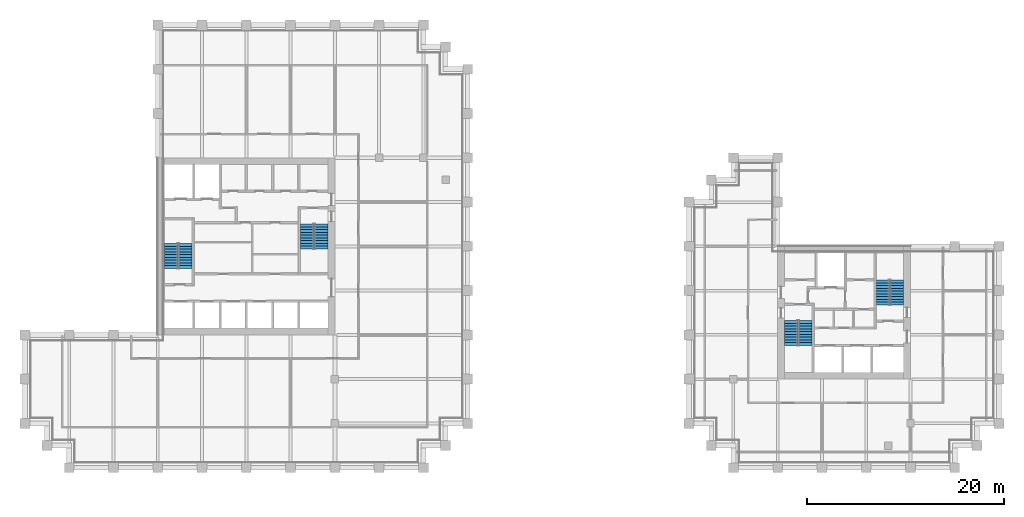
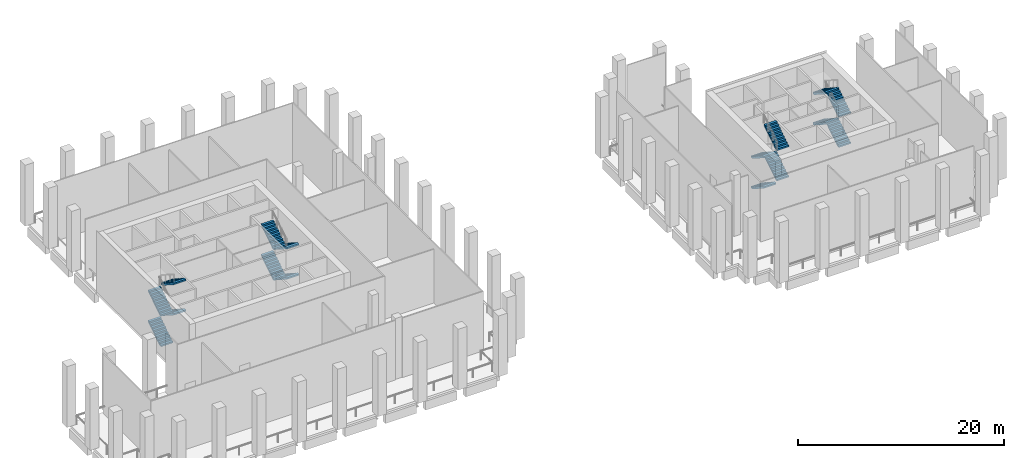
# One storey, part 7 of 9: 16 stair flights, 4 elements without a shape of their own.
"""IFC4 building model written with IfcOpenShell, lengths in metres."""

from ifc_helpers import new_model, si_unit, direction, frame, origin, place, context, subcontext, project, spatial, polyline, outline, extrude, material, type_object, element, aggregate, save


model = new_model("IFC4")

# Units and contexts
model_context = context("Model", 3, precision=1e-05, world=origin(), true_north=direction((0.0, 1.0)))
body_context = subcontext(model_context, "Body", "Model", "MODEL_VIEW")
ifc_project = project(units=[si_unit("LENGTHUNIT", "METRE"), si_unit("AREAUNIT", "SQUARE_METRE"), si_unit("VOLUMEUNIT", "CUBIC_METRE"), si_unit("PLANEANGLEUNIT", "RADIAN"), si_unit("MASSUNIT", "GRAM", prefix="KILO")], contexts=[model_context])

# Site, building, storey
site_placement = place(None, origin())
site = spatial("IfcSite", under=ifc_project, at=site_placement, CompositionType="ELEMENT")
building_placement = place(site_placement, origin())
building = spatial("IfcBuilding", under=site, at=building_placement, Name="Altepetl Exchange Towers", CompositionType="ELEMENT")
storey_placement = place(building_placement, frame((0.0, 0.0, 113.60009765625)))
storey = spatial("IfcBuildingStorey", under=building, at=storey_placement, Name="L28 Wind floor plant", CompositionType="ELEMENT", Elevation=113.60009765625)

# Stair, stair flights
ifc_material = material(Name="Concrete C40/50", Category="concrete")
stair_type = type_object("IfcStairType", Name="Exit stair 1350 flights dogleg", PredefinedType="HALF_TURN_STAIR", material=ifc_material)
stair_1_placement = place(storey_placement, origin())
stair_1 = element("IfcStair", 1, at=stair_1_placement, inside=storey, type_object=stair_type, Name="Exit stair 1", PredefinedType="HALF_TURN_STAIR")
stair_flight_type = type_object("IfcStairFlightType", Name="Stair flight 1350 wide", PredefinedType="STRAIGHT", material=ifc_material)
stair_flight_1_placement = place(storey_placement, frame((41.875, 47.25, 0.0), z_axis=(0.0, 0.0, 1.0), x_axis=(0.0, 1.0, 0.0)))
stair_flight_1 = element("IfcStairFlight", 2, at=stair_flight_1_placement, type_object=stair_flight_type, Name="ST-A1d flight 1", NumberOfRisers=10, NumberOfTreads=9, PredefinedType="STRAIGHT", RiserHeight=0.18, TreadLength=0.28, context=body_context, shape_type="SweptSolid", body=[
    extrude(outline(polyline([(0.0, 0.0), (0.0, 0.179931640625), (0.280029296875, 0.179931640625), (0.280029296875, 0.360107421875), (0.56005859375, 0.360107421875), (0.56005859375, 0.5400390625), (0.840087890625, 0.5400390625), (0.840087890625, 0.719970703125), (1.1201171875, 0.719970703125), (1.1201171875, 0.89990234375), (1.39990234375, 0.89990234375), (1.39990234375, 1.080078125), (1.679931640625, 1.080078125), (1.679931640625, 1.260009765625), (1.9599609375, 1.260009765625), (1.9599609375, 1.43994140625), (2.239990234375, 1.43994140625), (2.239990234375, 1.6201171875), (2.52001953125, 1.6201171875), (2.52001953125, 1.800048828125), (2.52001953125, 1.44189453125), (0.277099609375, 0.0), (0.0, 0.0)])), frame((0.0, 0.675048828125, 0.0), z_axis=(0.0, -1.0, 0.0), x_axis=(1.0, 0.0, 0.0)), (0.0, 0.0, 1.0), 1.35009765625),
])
stair_flight_2_placement = place(storey_placement, frame((43.324951171875, 49.77001953125, 1.7998046875), z_axis=(0.0, 0.0, 1.0), x_axis=(0.0, -1.0, 0.0)))
stair_flight_2 = element("IfcStairFlight", 3, at=stair_flight_2_placement, type_object=stair_flight_type, Name="ST-A1d flight 2", NumberOfRisers=10, NumberOfTreads=9, PredefinedType="STRAIGHT", RiserHeight=0.18, TreadLength=0.28, context=body_context, shape_type="SweptSolid", body=[
    extrude(outline(polyline([(0.0, 0.0), (0.0, 0.179931640625), (0.280029296875, 0.179931640625), (0.280029296875, 0.360107421875), (0.56005859375, 0.360107421875), (0.56005859375, 0.5400390625), (0.840087890625, 0.5400390625), (0.840087890625, 0.719970703125), (1.1201171875, 0.719970703125), (1.1201171875, 0.89990234375), (1.39990234375, 0.89990234375), (1.39990234375, 1.080078125), (1.679931640625, 1.080078125), (1.679931640625, 1.260009765625), (1.9599609375, 1.260009765625), (1.9599609375, 1.43994140625), (2.239990234375, 1.43994140625), (2.239990234375, 1.6201171875), (2.52001953125, 1.6201171875), (2.52001953125, 1.800048828125), (2.52001953125, 1.44189453125), (0.277099609375, 0.0), (0.0, 0.0)])), frame((0.0, 0.675048828125, 0.0), z_axis=(0.0, -1.0, 0.0), x_axis=(1.0, 0.0, 0.0)), (0.0, 0.0, 1.0), 1.35009765625),
])
stair_flight_3_placement = place(storey_placement, frame((41.875, 47.25, 3.599853515625), z_axis=(0.0, 0.0, 1.0), x_axis=(0.0, 1.0, 0.0)))
stair_flight_3 = element("IfcStairFlight", 4, at=stair_flight_3_placement, type_object=stair_flight_type, Name="ST-A1d flight 3", NumberOfRisers=10, NumberOfTreads=9, PredefinedType="STRAIGHT", RiserHeight=0.18, TreadLength=0.28, context=body_context, shape_type="SweptSolid", body=[
    extrude(outline(polyline([(0.0, 0.0), (0.0, 0.179931640625), (0.280029296875, 0.179931640625), (0.280029296875, 0.360107421875), (0.56005859375, 0.360107421875), (0.56005859375, 0.5400390625), (0.840087890625, 0.5400390625), (0.840087890625, 0.719970703125), (1.1201171875, 0.719970703125), (1.1201171875, 0.89990234375), (1.39990234375, 0.89990234375), (1.39990234375, 1.080078125), (1.679931640625, 1.080078125), (1.679931640625, 1.260009765625), (1.9599609375, 1.260009765625), (1.9599609375, 1.43994140625), (2.239990234375, 1.43994140625), (2.239990234375, 1.6201171875), (2.52001953125, 1.6201171875), (2.52001953125, 1.800048828125), (2.52001953125, 1.44189453125), (0.277099609375, 0.0), (0.0, 0.0)])), frame((0.0, 0.675048828125, 0.0), z_axis=(0.0, -1.0, 0.0), x_axis=(1.0, 0.0, 0.0)), (0.0, 0.0, 1.0), 1.35009765625),
])
stair_flight_4_placement = place(storey_placement, frame((43.324951171875, 49.77001953125, 5.39990234375), z_axis=(0.0, 0.0, 1.0), x_axis=(0.0, -1.0, 0.0)))
stair_flight_4 = element("IfcStairFlight", 5, at=stair_flight_4_placement, type_object=stair_flight_type, Name="ST-A1d flight 4", NumberOfRisers=10, NumberOfTreads=9, PredefinedType="STRAIGHT", RiserHeight=0.18, TreadLength=0.28, context=body_context, shape_type="SweptSolid", body=[
    extrude(outline(polyline([(0.0, 0.0), (0.0, 0.179931640625), (0.280029296875, 0.179931640625), (0.280029296875, 0.360107421875), (0.56005859375, 0.360107421875), (0.56005859375, 0.5400390625), (0.840087890625, 0.5400390625), (0.840087890625, 0.719970703125), (1.1201171875, 0.719970703125), (1.1201171875, 0.89990234375), (1.39990234375, 0.89990234375), (1.39990234375, 1.080078125), (1.679931640625, 1.080078125), (1.679931640625, 1.260009765625), (1.9599609375, 1.260009765625), (1.9599609375, 1.43994140625), (2.239990234375, 1.43994140625), (2.239990234375, 1.6201171875), (2.52001953125, 1.6201171875), (2.52001953125, 1.800048828125), (2.52001953125, 1.44189453125), (0.277099609375, 0.0), (0.0, 0.0)])), frame((0.0, 0.675048828125, 0.0), z_axis=(0.0, -1.0, 0.0), x_axis=(1.0, 0.0, 0.0)), (0.0, 0.0, 1.0), 1.35009765625),
])
aggregate(stair_1, [stair_flight_1, stair_flight_2, stair_flight_3, stair_flight_4])

stair_2_placement = place(storey_placement, origin())
stair_2 = element("IfcStair", 6, at=stair_2_placement, inside=storey, type_object=stair_type, Name="Exit stair 2", PredefinedType="HALF_TURN_STAIR")
stair_flight_5_placement = place(storey_placement, frame((57.125, 51.75, 0.0), z_axis=(0.0, 0.0, 1.0), x_axis=(0.0, -1.0, 0.0)))
stair_flight_5 = element("IfcStairFlight", 7, at=stair_flight_5_placement, type_object=stair_flight_type, Name="ST-A2d flight 1", NumberOfRisers=10, NumberOfTreads=9, PredefinedType="STRAIGHT", RiserHeight=0.18, TreadLength=0.28, context=body_context, shape_type="SweptSolid", body=[
    extrude(outline(polyline([(0.0, 0.0), (0.0, 0.179931640625), (0.280029296875, 0.179931640625), (0.280029296875, 0.360107421875), (0.56005859375, 0.360107421875), (0.56005859375, 0.5400390625), (0.840087890625, 0.5400390625), (0.840087890625, 0.719970703125), (1.1201171875, 0.719970703125), (1.1201171875, 0.89990234375), (1.39990234375, 0.89990234375), (1.39990234375, 1.080078125), (1.679931640625, 1.080078125), (1.679931640625, 1.260009765625), (1.9599609375, 1.260009765625), (1.9599609375, 1.43994140625), (2.239990234375, 1.43994140625), (2.239990234375, 1.6201171875), (2.52001953125, 1.6201171875), (2.52001953125, 1.800048828125), (2.52001953125, 1.44189453125), (0.277099609375, 0.0), (0.0, 0.0)])), frame((0.0, 0.675048828125, 0.0), z_axis=(0.0, -1.0, 0.0), x_axis=(1.0, 0.0, 0.0)), (0.0, 0.0, 1.0), 1.35009765625),
])
stair_flight_6_placement = place(storey_placement, frame((55.675048828125, 49.22998046875, 1.7998046875), z_axis=(0.0, 0.0, 1.0), x_axis=(0.0, 1.0, 0.0)))
stair_flight_6 = element("IfcStairFlight", 8, at=stair_flight_6_placement, type_object=stair_flight_type, Name="ST-A2d flight 2", NumberOfRisers=10, NumberOfTreads=9, PredefinedType="STRAIGHT", RiserHeight=0.18, TreadLength=0.28, context=body_context, shape_type="SweptSolid", body=[
    extrude(outline(polyline([(0.0, 0.0), (0.0, 0.179931640625), (0.280029296875, 0.179931640625), (0.280029296875, 0.360107421875), (0.56005859375, 0.360107421875), (0.56005859375, 0.5400390625), (0.840087890625, 0.5400390625), (0.840087890625, 0.719970703125), (1.1201171875, 0.719970703125), (1.1201171875, 0.89990234375), (1.39990234375, 0.89990234375), (1.39990234375, 1.080078125), (1.679931640625, 1.080078125), (1.679931640625, 1.260009765625), (1.9599609375, 1.260009765625), (1.9599609375, 1.43994140625), (2.239990234375, 1.43994140625), (2.239990234375, 1.6201171875), (2.52001953125, 1.6201171875), (2.52001953125, 1.800048828125), (2.52001953125, 1.44189453125), (0.277099609375, 0.0), (0.0, 0.0)])), frame((0.0, 0.675048828125, 0.0), z_axis=(0.0, -1.0, 0.0), x_axis=(1.0, 0.0, 0.0)), (0.0, 0.0, 1.0), 1.35009765625),
])
stair_flight_7_placement = place(storey_placement, frame((57.125, 51.75, 3.599853515625), z_axis=(0.0, 0.0, 1.0), x_axis=(0.0, -1.0, 0.0)))
stair_flight_7 = element("IfcStairFlight", 9, at=stair_flight_7_placement, type_object=stair_flight_type, Name="ST-A2d flight 3", NumberOfRisers=10, NumberOfTreads=9, PredefinedType="STRAIGHT", RiserHeight=0.18, TreadLength=0.28, context=body_context, shape_type="SweptSolid", body=[
    extrude(outline(polyline([(0.0, 0.0), (0.0, 0.179931640625), (0.280029296875, 0.179931640625), (0.280029296875, 0.360107421875), (0.56005859375, 0.360107421875), (0.56005859375, 0.5400390625), (0.840087890625, 0.5400390625), (0.840087890625, 0.719970703125), (1.1201171875, 0.719970703125), (1.1201171875, 0.89990234375), (1.39990234375, 0.89990234375), (1.39990234375, 1.080078125), (1.679931640625, 1.080078125), (1.679931640625, 1.260009765625), (1.9599609375, 1.260009765625), (1.9599609375, 1.43994140625), (2.239990234375, 1.43994140625), (2.239990234375, 1.6201171875), (2.52001953125, 1.6201171875), (2.52001953125, 1.800048828125), (2.52001953125, 1.44189453125), (0.277099609375, 0.0), (0.0, 0.0)])), frame((0.0, 0.675048828125, 0.0), z_axis=(0.0, -1.0, 0.0), x_axis=(1.0, 0.0, 0.0)), (0.0, 0.0, 1.0), 1.35009765625),
])
stair_flight_8_placement = place(storey_placement, frame((55.675048828125, 49.22998046875, 5.39990234375), z_axis=(0.0, 0.0, 1.0), x_axis=(0.0, 1.0, 0.0)))
stair_flight_8 = element("IfcStairFlight", 10, at=stair_flight_8_placement, type_object=stair_flight_type, Name="ST-A2d flight 4", NumberOfRisers=10, NumberOfTreads=9, PredefinedType="STRAIGHT", RiserHeight=0.18, TreadLength=0.28, context=body_context, shape_type="SweptSolid", body=[
    extrude(outline(polyline([(0.0, 0.0), (0.0, 0.179931640625), (0.280029296875, 0.179931640625), (0.280029296875, 0.360107421875), (0.56005859375, 0.360107421875), (0.56005859375, 0.5400390625), (0.840087890625, 0.5400390625), (0.840087890625, 0.719970703125), (1.1201171875, 0.719970703125), (1.1201171875, 0.89990234375), (1.39990234375, 0.89990234375), (1.39990234375, 1.080078125), (1.679931640625, 1.080078125), (1.679931640625, 1.260009765625), (1.9599609375, 1.260009765625), (1.9599609375, 1.43994140625), (2.239990234375, 1.43994140625), (2.239990234375, 1.6201171875), (2.52001953125, 1.6201171875), (2.52001953125, 1.800048828125), (2.52001953125, 1.44189453125), (0.277099609375, 0.0), (0.0, 0.0)])), frame((0.0, 0.675048828125, 0.0), z_axis=(0.0, -1.0, 0.0), x_axis=(1.0, 0.0, 0.0)), (0.0, 0.0, 1.0), 1.35009765625),
])
aggregate(stair_2, [stair_flight_5, stair_flight_6, stair_flight_7, stair_flight_8])

stair_3_placement = place(storey_placement, origin())
stair_3 = element("IfcStair", 11, at=stair_3_placement, inside=storey, type_object=stair_type, Name="Exit stair 1", PredefinedType="HALF_TURN_STAIR")
stair_flight_9_placement = place(storey_placement, frame((104.875, 41.949951171875, 0.0), z_axis=(0.0, 0.0, 1.0), x_axis=(0.0, -1.0, 0.0)))
stair_flight_9 = element("IfcStairFlight", 12, at=stair_flight_9_placement, type_object=stair_flight_type, Name="ST-B1d flight 1", NumberOfRisers=10, NumberOfTreads=9, PredefinedType="STRAIGHT", RiserHeight=0.18, TreadLength=0.28, context=body_context, shape_type="SweptSolid", body=[
    extrude(outline(polyline([(0.0, 0.0), (0.0, 0.179931640625), (0.280029296875, 0.179931640625), (0.280029296875, 0.360107421875), (0.56005859375, 0.360107421875), (0.56005859375, 0.5400390625), (0.840087890625, 0.5400390625), (0.840087890625, 0.719970703125), (1.1201171875, 0.719970703125), (1.1201171875, 0.89990234375), (1.39990234375, 0.89990234375), (1.39990234375, 1.080078125), (1.679931640625, 1.080078125), (1.679931640625, 1.260009765625), (1.9599609375, 1.260009765625), (1.9599609375, 1.43994140625), (2.239990234375, 1.43994140625), (2.239990234375, 1.6201171875), (2.52001953125, 1.6201171875), (2.52001953125, 1.800048828125), (2.52001953125, 1.44189453125), (0.277099609375, 0.0), (0.0, 0.0)])), frame((0.0, 0.675048828125, 0.0), z_axis=(0.0, -1.0, 0.0), x_axis=(1.0, 0.0, 0.0)), (0.0, 0.0, 1.0), 1.35009765625),
])
stair_flight_10_placement = place(storey_placement, frame((106.324951171875, 39.429931640625, 1.7998046875), z_axis=(0.0, 0.0, 1.0), x_axis=(0.0, 1.0, 0.0)))
stair_flight_10 = element("IfcStairFlight", 13, at=stair_flight_10_placement, type_object=stair_flight_type, Name="ST-B1d flight 2", NumberOfRisers=10, NumberOfTreads=9, PredefinedType="STRAIGHT", RiserHeight=0.18, TreadLength=0.28, context=body_context, shape_type="SweptSolid", body=[
    extrude(outline(polyline([(0.0, 0.0), (0.0, 0.179931640625), (0.280029296875, 0.179931640625), (0.280029296875, 0.360107421875), (0.56005859375, 0.360107421875), (0.56005859375, 0.5400390625), (0.840087890625, 0.5400390625), (0.840087890625, 0.719970703125), (1.1201171875, 0.719970703125), (1.1201171875, 0.89990234375), (1.39990234375, 0.89990234375), (1.39990234375, 1.080078125), (1.679931640625, 1.080078125), (1.679931640625, 1.260009765625), (1.9599609375, 1.260009765625), (1.9599609375, 1.43994140625), (2.239990234375, 1.43994140625), (2.239990234375, 1.6201171875), (2.52001953125, 1.6201171875), (2.52001953125, 1.800048828125), (2.52001953125, 1.44189453125), (0.277099609375, 0.0), (0.0, 0.0)])), frame((0.0, 0.675048828125, 0.0), z_axis=(0.0, -1.0, 0.0), x_axis=(1.0, 0.0, 0.0)), (0.0, 0.0, 1.0), 1.35009765625),
])
stair_flight_11_placement = place(storey_placement, frame((104.875, 41.949951171875, 3.599853515625), z_axis=(0.0, 0.0, 1.0), x_axis=(0.0, -1.0, 0.0)))
stair_flight_11 = element("IfcStairFlight", 14, at=stair_flight_11_placement, type_object=stair_flight_type, Name="ST-B1d flight 3", NumberOfRisers=10, NumberOfTreads=9, PredefinedType="STRAIGHT", RiserHeight=0.18, TreadLength=0.28, context=body_context, shape_type="SweptSolid", body=[
    extrude(outline(polyline([(0.0, 0.0), (0.0, 0.179931640625), (0.280029296875, 0.179931640625), (0.280029296875, 0.360107421875), (0.56005859375, 0.360107421875), (0.56005859375, 0.5400390625), (0.840087890625, 0.5400390625), (0.840087890625, 0.719970703125), (1.1201171875, 0.719970703125), (1.1201171875, 0.89990234375), (1.39990234375, 0.89990234375), (1.39990234375, 1.080078125), (1.679931640625, 1.080078125), (1.679931640625, 1.260009765625), (1.9599609375, 1.260009765625), (1.9599609375, 1.43994140625), (2.239990234375, 1.43994140625), (2.239990234375, 1.6201171875), (2.52001953125, 1.6201171875), (2.52001953125, 1.800048828125), (2.52001953125, 1.44189453125), (0.277099609375, 0.0), (0.0, 0.0)])), frame((0.0, 0.675048828125, 0.0), z_axis=(0.0, -1.0, 0.0), x_axis=(1.0, 0.0, 0.0)), (0.0, 0.0, 1.0), 1.35009765625),
])
stair_flight_12_placement = place(storey_placement, frame((106.324951171875, 39.429931640625, 5.39990234375), z_axis=(0.0, 0.0, 1.0), x_axis=(0.0, 1.0, 0.0)))
stair_flight_12 = element("IfcStairFlight", 15, at=stair_flight_12_placement, type_object=stair_flight_type, Name="ST-B1d flight 4", NumberOfRisers=10, NumberOfTreads=9, PredefinedType="STRAIGHT", RiserHeight=0.18, TreadLength=0.28, context=body_context, shape_type="SweptSolid", body=[
    extrude(outline(polyline([(0.0, 0.0), (0.0, 0.179931640625), (0.280029296875, 0.179931640625), (0.280029296875, 0.360107421875), (0.56005859375, 0.360107421875), (0.56005859375, 0.5400390625), (0.840087890625, 0.5400390625), (0.840087890625, 0.719970703125), (1.1201171875, 0.719970703125), (1.1201171875, 0.89990234375), (1.39990234375, 0.89990234375), (1.39990234375, 1.080078125), (1.679931640625, 1.080078125), (1.679931640625, 1.260009765625), (1.9599609375, 1.260009765625), (1.9599609375, 1.43994140625), (2.239990234375, 1.43994140625), (2.239990234375, 1.6201171875), (2.52001953125, 1.6201171875), (2.52001953125, 1.800048828125), (2.52001953125, 1.44189453125), (0.277099609375, 0.0), (0.0, 0.0)])), frame((0.0, 0.675048828125, 0.0), z_axis=(0.0, -1.0, 0.0), x_axis=(1.0, 0.0, 0.0)), (0.0, 0.0, 1.0), 1.35009765625),
])
aggregate(stair_3, [stair_flight_9, stair_flight_10, stair_flight_11, stair_flight_12])

stair_4_placement = place(storey_placement, origin())
stair_4 = element("IfcStair", 16, at=stair_4_placement, inside=storey, type_object=stair_type, Name="Exit stair 2", PredefinedType="HALF_TURN_STAIR")
stair_flight_13_placement = place(storey_placement, frame((115.625, 43.550048828125, 0.0), z_axis=(0.0, 0.0, 1.0), x_axis=(0.0, 1.0, 0.0)))
stair_flight_13 = element("IfcStairFlight", 17, at=stair_flight_13_placement, type_object=stair_flight_type, Name="ST-B2d flight 1", NumberOfRisers=10, NumberOfTreads=9, PredefinedType="STRAIGHT", RiserHeight=0.18, TreadLength=0.28, context=body_context, shape_type="SweptSolid", body=[
    extrude(outline(polyline([(0.0, 0.0), (0.0, 0.179931640625), (0.280029296875, 0.179931640625), (0.280029296875, 0.360107421875), (0.56005859375, 0.360107421875), (0.56005859375, 0.5400390625), (0.840087890625, 0.5400390625), (0.840087890625, 0.719970703125), (1.1201171875, 0.719970703125), (1.1201171875, 0.89990234375), (1.39990234375, 0.89990234375), (1.39990234375, 1.080078125), (1.679931640625, 1.080078125), (1.679931640625, 1.260009765625), (1.9599609375, 1.260009765625), (1.9599609375, 1.43994140625), (2.239990234375, 1.43994140625), (2.239990234375, 1.6201171875), (2.52001953125, 1.6201171875), (2.52001953125, 1.800048828125), (2.52001953125, 1.44189453125), (0.277099609375, 0.0), (0.0, 0.0)])), frame((0.0, 0.675048828125, 0.0), z_axis=(0.0, -1.0, 0.0), x_axis=(1.0, 0.0, 0.0)), (0.0, 0.0, 1.0), 1.35009765625),
])
stair_flight_14_placement = place(storey_placement, frame((114.175048828125, 46.070068359375, 1.7998046875), z_axis=(0.0, 0.0, 1.0), x_axis=(0.0, -1.0, 0.0)))
stair_flight_14 = element("IfcStairFlight", 18, at=stair_flight_14_placement, type_object=stair_flight_type, Name="ST-B2d flight 2", NumberOfRisers=10, NumberOfTreads=9, PredefinedType="STRAIGHT", RiserHeight=0.18, TreadLength=0.28, context=body_context, shape_type="SweptSolid", body=[
    extrude(outline(polyline([(0.0, 0.0), (0.0, 0.179931640625), (0.280029296875, 0.179931640625), (0.280029296875, 0.360107421875), (0.56005859375, 0.360107421875), (0.56005859375, 0.5400390625), (0.840087890625, 0.5400390625), (0.840087890625, 0.719970703125), (1.1201171875, 0.719970703125), (1.1201171875, 0.89990234375), (1.39990234375, 0.89990234375), (1.39990234375, 1.080078125), (1.679931640625, 1.080078125), (1.679931640625, 1.260009765625), (1.9599609375, 1.260009765625), (1.9599609375, 1.43994140625), (2.239990234375, 1.43994140625), (2.239990234375, 1.6201171875), (2.52001953125, 1.6201171875), (2.52001953125, 1.800048828125), (2.52001953125, 1.44189453125), (0.277099609375, 0.0), (0.0, 0.0)])), frame((0.0, 0.675048828125, 0.0), z_axis=(0.0, -1.0, 0.0), x_axis=(1.0, 0.0, 0.0)), (0.0, 0.0, 1.0), 1.35009765625),
])
stair_flight_15_placement = place(storey_placement, frame((115.625, 43.550048828125, 3.599853515625), z_axis=(0.0, 0.0, 1.0), x_axis=(0.0, 1.0, 0.0)))
stair_flight_15 = element("IfcStairFlight", 19, at=stair_flight_15_placement, type_object=stair_flight_type, Name="ST-B2d flight 3", NumberOfRisers=10, NumberOfTreads=9, PredefinedType="STRAIGHT", RiserHeight=0.18, TreadLength=0.28, context=body_context, shape_type="SweptSolid", body=[
    extrude(outline(polyline([(0.0, 0.0), (0.0, 0.179931640625), (0.280029296875, 0.179931640625), (0.280029296875, 0.360107421875), (0.56005859375, 0.360107421875), (0.56005859375, 0.5400390625), (0.840087890625, 0.5400390625), (0.840087890625, 0.719970703125), (1.1201171875, 0.719970703125), (1.1201171875, 0.89990234375), (1.39990234375, 0.89990234375), (1.39990234375, 1.080078125), (1.679931640625, 1.080078125), (1.679931640625, 1.260009765625), (1.9599609375, 1.260009765625), (1.9599609375, 1.43994140625), (2.239990234375, 1.43994140625), (2.239990234375, 1.6201171875), (2.52001953125, 1.6201171875), (2.52001953125, 1.800048828125), (2.52001953125, 1.44189453125), (0.277099609375, 0.0), (0.0, 0.0)])), frame((0.0, 0.675048828125, 0.0), z_axis=(0.0, -1.0, 0.0), x_axis=(1.0, 0.0, 0.0)), (0.0, 0.0, 1.0), 1.35009765625),
])
stair_flight_16_placement = place(storey_placement, frame((114.175048828125, 46.070068359375, 5.39990234375), z_axis=(0.0, 0.0, 1.0), x_axis=(0.0, -1.0, 0.0)))
stair_flight_16 = element("IfcStairFlight", 20, at=stair_flight_16_placement, type_object=stair_flight_type, Name="ST-B2d flight 4", NumberOfRisers=10, NumberOfTreads=9, PredefinedType="STRAIGHT", RiserHeight=0.18, TreadLength=0.28, context=body_context, shape_type="SweptSolid", body=[
    extrude(outline(polyline([(0.0, 0.0), (0.0, 0.179931640625), (0.280029296875, 0.179931640625), (0.280029296875, 0.360107421875), (0.56005859375, 0.360107421875), (0.56005859375, 0.5400390625), (0.840087890625, 0.5400390625), (0.840087890625, 0.719970703125), (1.1201171875, 0.719970703125), (1.1201171875, 0.89990234375), (1.39990234375, 0.89990234375), (1.39990234375, 1.080078125), (1.679931640625, 1.080078125), (1.679931640625, 1.260009765625), (1.9599609375, 1.260009765625), (1.9599609375, 1.43994140625), (2.239990234375, 1.43994140625), (2.239990234375, 1.6201171875), (2.52001953125, 1.6201171875), (2.52001953125, 1.800048828125), (2.52001953125, 1.44189453125), (0.277099609375, 0.0), (0.0, 0.0)])), frame((0.0, 0.675048828125, 0.0), z_axis=(0.0, -1.0, 0.0), x_axis=(1.0, 0.0, 0.0)), (0.0, 0.0, 1.0), 1.35009765625),
])
aggregate(stair_4, [stair_flight_13, stair_flight_14, stair_flight_15, stair_flight_16])

save(model, "model.ifc")
